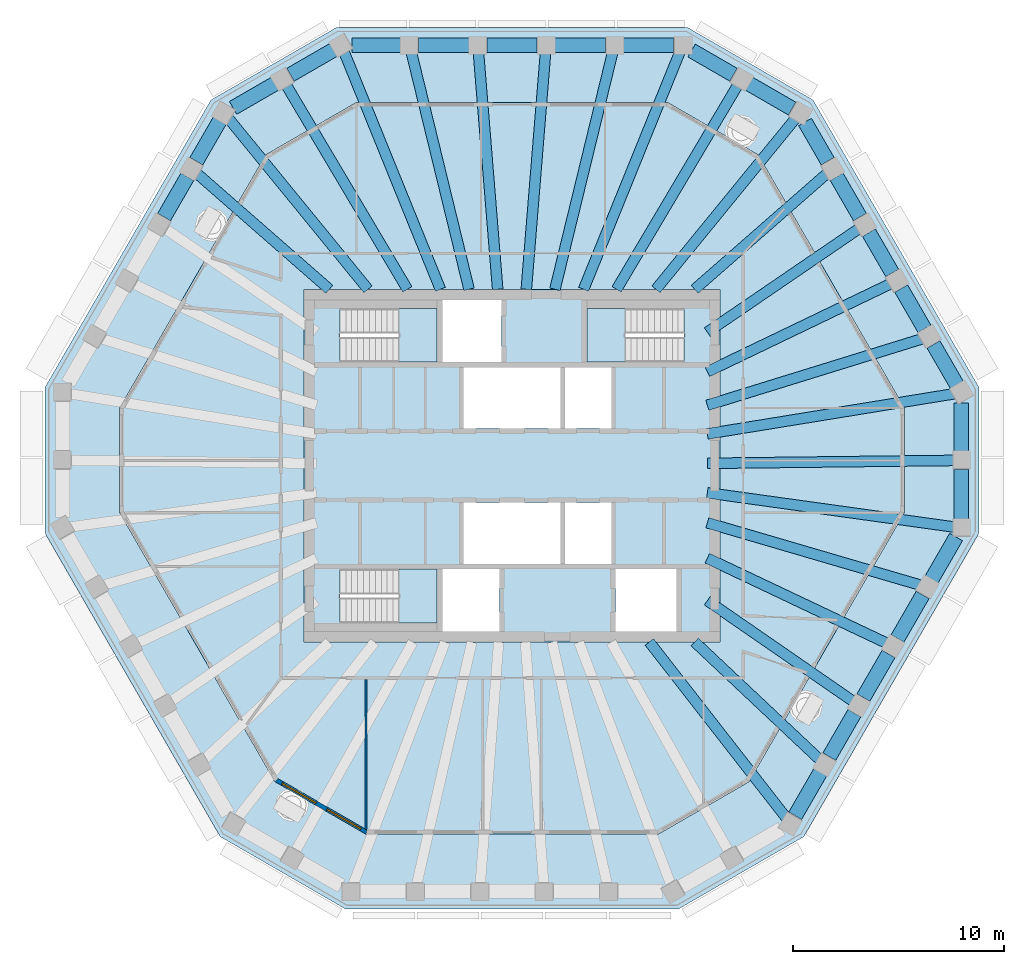
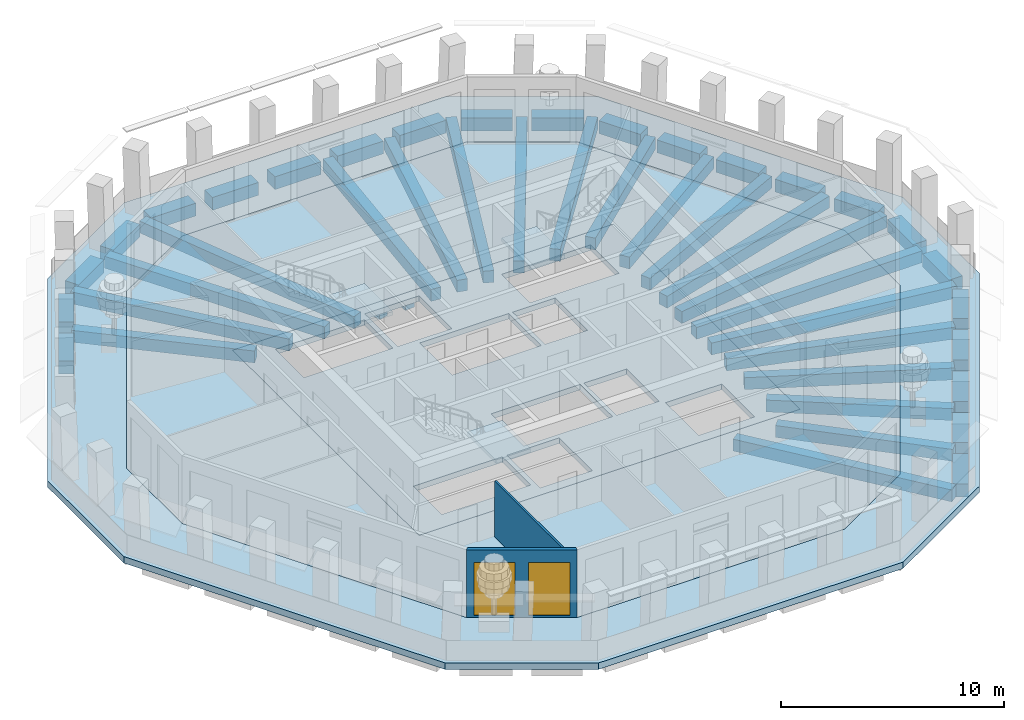
# One storey, part 2 of 11: 46 beams, 6 slabs, 2 walls, 2 windows, 2 openings, 3 elements without a shape of their own.
"""IFC4 building model written with IfcOpenShell, lengths in metres."""

from ifc_helpers import new_model, si_unit, direction, frame, frame_2d, origin, origin_2d, place, context, subcontext, project, spatial, polyline, rectangle, outline, extrude, material, layer, layer_set, material_profile, profile_set, type_object, element, fill, aggregate, save


model = new_model("IFC4")

# Units and contexts
model_context = context("Model", 3, precision=1e-05, world=origin(), true_north=direction((0.0, 1.0)))
body_context = subcontext(model_context, "Body", "Model", "MODEL_VIEW")
ifc_project = project(units=[si_unit("LENGTHUNIT", "METRE"), si_unit("AREAUNIT", "SQUARE_METRE"), si_unit("VOLUMEUNIT", "CUBIC_METRE"), si_unit("PLANEANGLEUNIT", "RADIAN"), si_unit("MASSUNIT", "GRAM", prefix="KILO")], contexts=[model_context])

# Site, building, storey
site_placement = place(None, origin())
site = spatial("IfcSite", under=ifc_project, at=site_placement, CompositionType="ELEMENT")
building_placement = place(site_placement, origin())
building = spatial("IfcBuilding", under=site, at=building_placement, Name="Frailejon Research Tower", CompositionType="ELEMENT")
storey_placement = place(building_placement, frame((0.0, 0.0, 316.60009765625)))
storey = spatial("IfcBuildingStorey", under=building, at=storey_placement, Name="L70", CompositionType="ELEMENT", Elevation=316.60009765625)

# Beams
ifc_material_1 = material(Name="Concrete C60/75", Category="concrete")
ifc_material_profile_1 = material_profile(ifc_material_1, rectangle(XDim=0.5, YDim=0.64990234375, at=origin_2d()), Name="Girder 500x650")
ifc_profile_set_1 = profile_set([ifc_material_profile_1], Name="Concrete C60/75")
beam_type_1 = type_object("IfcBeamType", Name="Girder 500x650", PredefinedType="BEAM", material=ifc_profile_set_1)
beam_1_placement = place(storey_placement, frame((20.996337890625, -2.916259765625, -0.625), z_axis=(-0.990493286128, 0.137561077836, 0.0), x_axis=(-0.137561077836, -0.990493286128, 0.0)))
element("IfcBeam", 1, at=beam_1_placement, inside=storey, type_object=beam_type_1, Name="Girder 500x650", PredefinedType="BEAM", context=body_context, shape_type="SweptSolid", body=[
    extrude(rectangle(XDim=0.5, YDim=0.64990234375, at=origin_2d()), origin(), (0.0, 0.0, 1.0), 11.859130859375),
])
beam_2_placement = place(storey_placement, frame((20.997802734375, 0.248046875, -0.625), z_axis=(-0.999930339256, -0.011803246799, 0.0), x_axis=(0.011803246799, -0.999930339256, 0.0)))
element("IfcBeam", 2, at=beam_2_placement, inside=storey, type_object=beam_type_1, Name="Girder 500x650", PredefinedType="BEAM", context=body_context, shape_type="SweptSolid", body=[
    extrude(rectangle(XDim=0.5, YDim=0.64990234375, at=origin_2d()), origin(), (0.0, 0.0, 1.0), 11.74853515625),
])
beam_3_placement = place(storey_placement, frame((20.97216796875, 3.40869140625, -0.625), z_axis=(-0.987047119751, -0.160430618622, 0.0), x_axis=(0.160430618622, -0.987047119751, 0.0)))
element("IfcBeam", 3, at=beam_3_placement, inside=storey, type_object=beam_type_1, Name="Girder 500x650", PredefinedType="BEAM", context=body_context, shape_type="SweptSolid", body=[
    extrude(rectangle(XDim=0.5, YDim=0.64990234375, at=origin_2d()), origin(), (0.0, 0.0, 1.0), 11.8759765625),
])
beam_4_placement = place(storey_placement, frame((19.47119140625, 6.0205078125, -0.625), z_axis=(-0.955373020039, -0.295402086285, 0.0), x_axis=(0.295402086285, -0.955373020039, 0.0)))
element("IfcBeam", 4, at=beam_4_placement, inside=storey, type_object=beam_type_1, Name="Girder 500x650", PredefinedType="BEAM", context=body_context, shape_type="SweptSolid", body=[
    extrude(rectangle(XDim=0.5, YDim=0.64990234375, at=origin_2d()), origin(), (0.0, 0.0, 1.0), 10.69873046875),
])
beam_5_placement = place(storey_placement, frame((17.966796875, 8.632568359375, -0.625), z_axis=(-0.901354775535, -0.433081480347, 0.0), x_axis=(0.433081480347, -0.901354775535, 0.0)))
element("IfcBeam", 5, at=beam_5_placement, inside=storey, type_object=beam_type_1, Name="Girder 500x650", PredefinedType="BEAM", context=body_context, shape_type="SweptSolid", body=[
    extrude(rectangle(XDim=0.5, YDim=0.64990234375, at=origin_2d()), origin(), (0.0, 0.0, 1.0), 9.670654296875),
])
beam_6_placement = place(storey_placement, frame((16.459228515625, 11.24365234375, -0.625), z_axis=(-0.825724742049, -0.564073266843, 0.0), x_axis=(0.564073266843, -0.825724742049, 0.0)))
element("IfcBeam", 6, at=beam_6_placement, inside=storey, type_object=beam_type_1, Name="Girder 500x650", PredefinedType="BEAM", context=body_context, shape_type="SweptSolid", body=[
    extrude(rectangle(XDim=0.5, YDim=0.64990234375, at=origin_2d()), origin(), (0.0, 0.0, 1.0), 8.730712890625),
])
beam_7_placement = place(storey_placement, frame((14.94580078125, 13.860107421875, -0.625), z_axis=(-0.752511615513, -0.658578976675, 0.0), x_axis=(0.658578976675, -0.752511615513, 0.0)))
element("IfcBeam", 7, at=beam_7_placement, inside=storey, type_object=beam_type_1, Name="Girder 500x650", PredefinedType="BEAM", context=body_context, shape_type="SweptSolid", body=[
    extrude(rectangle(XDim=0.5, YDim=0.64990234375, at=origin_2d()), origin(), (0.0, 0.0, 1.0), 8.366455078125),
])
beam_8_placement = place(storey_placement, frame((13.453125, 16.4765625, -0.625), z_axis=(-0.632456855783, -0.774595588403, 0.0), x_axis=(0.774595588403, -0.632456855783, 0.0)))
element("IfcBeam", 8, at=beam_8_placement, inside=storey, type_object=beam_type_1, Name="Girder 500x650", PredefinedType="BEAM", context=body_context, shape_type="SweptSolid", body=[
    extrude(rectangle(XDim=0.5, YDim=0.64990234375, at=origin_2d()), origin(), (0.0, 0.0, 1.0), 10.4912109375),
])
beam_9_placement = place(storey_placement, frame((10.7138671875, 18.060546875, -0.625), z_axis=(-0.510205979773, -0.860052241555, 0.0), x_axis=(0.860052241555, -0.510205979773, 0.0)))
element("IfcBeam", 9, at=beam_9_placement, inside=storey, type_object=beam_type_1, Name="Girder 500x650", PredefinedType="BEAM", context=body_context, shape_type="SweptSolid", body=[
    extrude(rectangle(XDim=0.5, YDim=0.64990234375, at=origin_2d()), origin(), (0.0, 0.0, 1.0), 11.29052734375),
])
beam_10_placement = place(storey_placement, frame((7.96142578125, 19.614013671875, -0.625), z_axis=(-0.376098524629, -0.926579678048, 0.0), x_axis=(0.926579678048, -0.376098524629, 0.0)))
element("IfcBeam", 10, at=beam_10_placement, inside=storey, type_object=beam_type_1, Name="Girder 500x650", PredefinedType="BEAM", context=body_context, shape_type="SweptSolid", body=[
    extrude(rectangle(XDim=0.5, YDim=0.64990234375, at=origin_2d()), origin(), (0.0, 0.0, 1.0), 12.156494140625),
])
beam_11_placement = place(storey_placement, frame((4.778564453125, 19.62060546875, -0.625), z_axis=(-0.236628152362, -0.971600286903, 0.0), x_axis=(0.971600286903, -0.236628152362, 0.0)))
element("IfcBeam", 11, at=beam_11_placement, inside=storey, type_object=beam_type_1, Name="Girder 500x650", PredefinedType="BEAM", context=body_context, shape_type="SweptSolid", body=[
    extrude(rectangle(XDim=0.5, YDim=0.64990234375, at=origin_2d()), origin(), (0.0, 0.0, 1.0), 11.599853515625),
])
for number, where, z_axis, x_axis, name in (
    (12, (1.593017578125, 19.62451171875, -0.625), (-0.080894684046, -0.99672265455, 0.0), (0.99672265455, -0.080894684046, 0.0), "Girder 500x650"),
    (13, (-1.593017578125, 19.62451171875, -0.625), (0.080894684046, -0.99672265455, 0.0), (0.99672265455, 0.080894684046, 0.0), "Girder 500x650"),
):
    element("IfcBeam", number, at=place(storey_placement, frame(where, z_axis=z_axis, x_axis=x_axis)), inside=storey, type_object=beam_type_1, Name=name, PredefinedType="BEAM", context=body_context, shape_type="SweptSolid", body=[
        extrude(rectangle(XDim=0.5, YDim=0.64990234375, at=origin_2d()), origin(), (0.0, 0.0, 1.0), 11.3115234375),
    ])
beam_12_placement = place(storey_placement, frame((-4.778564453125, 19.62060546875, -0.625), z_axis=(0.236628152362, -0.971600286903, 0.0), x_axis=(0.971600286903, 0.236628152362, 0.0)))
element("IfcBeam", 14, at=beam_12_placement, inside=storey, type_object=beam_type_1, Name="Girder 500x650", PredefinedType="BEAM", context=body_context, shape_type="SweptSolid", body=[
    extrude(rectangle(XDim=0.5, YDim=0.64990234375, at=origin_2d()), origin(), (0.0, 0.0, 1.0), 11.599853515625),
])
beam_13_placement = place(storey_placement, frame((-7.972412109375, 19.641357421875, -0.625), z_axis=(0.376090598855, -0.926582895079, 0.0), x_axis=(0.926582895079, 0.376090598855, 0.0)))
element("IfcBeam", 15, at=beam_13_placement, inside=storey, type_object=beam_type_1, Name="Girder 500x650", PredefinedType="BEAM", context=body_context, shape_type="SweptSolid", body=[
    extrude(rectangle(XDim=0.5, YDim=0.64990234375, at=origin_2d()), origin(), (0.0, 0.0, 1.0), 12.18603515625),
])
beam_14_placement = place(storey_placement, frame((-10.7138671875, 18.060546875, -0.625), z_axis=(0.510205979773, -0.860052241555, 0.0), x_axis=(0.860052241555, 0.510205979773, 0.0)))
element("IfcBeam", 16, at=beam_14_placement, inside=storey, type_object=beam_type_1, Name="Girder 500x650", PredefinedType="BEAM", context=body_context, shape_type="SweptSolid", body=[
    extrude(rectangle(XDim=0.5, YDim=0.64990234375, at=origin_2d()), origin(), (0.0, 0.0, 1.0), 11.29052734375),
])
beam_15_placement = place(storey_placement, frame((-13.43798828125, 16.4580078125, -0.625), z_axis=(0.632457610876, -0.774594971869, 0.0), x_axis=(0.774594971869, 0.632457610876, 0.0)))
element("IfcBeam", 17, at=beam_15_placement, inside=storey, type_object=beam_type_1, Name="Girder 500x650", PredefinedType="BEAM", context=body_context, shape_type="SweptSolid", body=[
    extrude(rectangle(XDim=0.5, YDim=0.64990234375, at=origin_2d()), origin(), (0.0, 0.0, 1.0), 10.46728515625),
])
beam_16_placement = place(storey_placement, frame((-14.94580078125, 13.860107421875, -0.625), z_axis=(0.752511615513, -0.658578976675, 0.0), x_axis=(0.658578976675, 0.752511615513, 0.0)))
element("IfcBeam", 18, at=beam_16_placement, inside=storey, type_object=beam_type_1, Name="Girder 500x650", PredefinedType="BEAM", context=body_context, shape_type="SweptSolid", body=[
    extrude(rectangle(XDim=0.5, YDim=0.64990234375, at=origin_2d()), origin(), (0.0, 0.0, 1.0), 8.366455078125),
])
beam_17_placement = place(storey_placement, frame((13.005615234375, -16.701904296875, -0.625), z_axis=(-0.614400368864, 0.788994414898, 0.0), x_axis=(-0.788994414898, -0.614400368864, 0.0)))
element("IfcBeam", 19, at=beam_17_placement, inside=storey, type_object=beam_type_1, Name="Girder 500x650", PredefinedType="BEAM", context=body_context, shape_type="SweptSolid", body=[
    extrude(rectangle(XDim=0.5, YDim=0.64990234375, at=origin_2d()), origin(), (0.0, 0.0, 1.0), 10.58544921875),
])
beam_18_placement = place(storey_placement, frame((14.601806640625, -13.95068359375, -0.625), z_axis=(-0.728273656927, 0.685286422327, 0.0), x_axis=(-0.685286422327, -0.728273656927, 0.0)))
element("IfcBeam", 20, at=beam_18_placement, inside=storey, type_object=beam_type_1, Name="Girder 500x650", PredefinedType="BEAM", context=body_context, shape_type="SweptSolid", body=[
    extrude(rectangle(XDim=0.5, YDim=0.64990234375, at=origin_2d()), origin(), (0.0, 0.0, 1.0), 8.172607421875),
])
beam_19_placement = place(storey_placement, frame((16.19873046875, -11.19189453125, -0.625), z_axis=(-0.822739186552, 0.568419062763, 0.0), x_axis=(-0.568419062763, -0.822739186552, 0.0)))
element("IfcBeam", 21, at=beam_19_placement, inside=storey, type_object=beam_type_1, Name="Girder 500x650", PredefinedType="BEAM", context=body_context, shape_type="SweptSolid", body=[
    extrude(rectangle(XDim=0.5, YDim=0.64990234375, at=origin_2d()), origin(), (0.0, 0.0, 1.0), 8.44580078125),
])
beam_20_placement = place(storey_placement, frame((17.7919921875, -8.4326171875, -0.625), z_axis=(-0.903640525477, 0.428291723848, 0.0), x_axis=(-0.428291723848, -0.903640525477, 0.0)))
element("IfcBeam", 22, at=beam_20_placement, inside=storey, type_object=beam_type_1, Name="Girder 500x650", PredefinedType="BEAM", context=body_context, shape_type="SweptSolid", body=[
    extrude(rectangle(XDim=0.5, YDim=0.64990234375, at=origin_2d()), origin(), (0.0, 0.0, 1.0), 9.452880859375),
])
beam_21_placement = place(storey_placement, frame((19.38134765625, -5.672119140625, -0.625), z_axis=(-0.959742121067, 0.280882646401, 0.0), x_axis=(-0.280882646401, -0.959742121067, 0.0)))
element("IfcBeam", 23, at=beam_21_placement, inside=storey, type_object=beam_type_1, Name="Girder 500x650", PredefinedType="BEAM", context=body_context, shape_type="SweptSolid", body=[
    extrude(rectangle(XDim=0.5, YDim=0.64990234375, at=origin_2d()), origin(), (0.0, 0.0, 1.0), 10.556396484375),
])
ifc_material_2 = material(Name="Concrete C60/75", Category="concrete")
ifc_material_profile_2 = material_profile(ifc_material_2, rectangle(XDim=0.699951171875, YDim=0.699951171875, at=origin_2d()), Name="Spandrel 700x700")
ifc_profile_set_2 = profile_set([ifc_material_profile_2], Name="Concrete C60/75")
beam_type_2 = type_object("IfcBeamType", Name="Spandrel 700x700", PredefinedType="BEAM", material=ifc_profile_set_2)
beam_22_placement = place(storey_placement, frame((21.272705078125, -2.52978515625, -0.7001953125), z_axis=(0.0, 1.0, 0.0), x_axis=(-1.0, 0.0, 0.0)))
element("IfcBeam", 24, at=beam_22_placement, inside=storey, type_object=beam_type_2, Name="Spandrel 700x700", PredefinedType="BEAM", context=body_context, shape_type="SweptSolid", body=[
    extrude(rectangle(XDim=0.699951171875, YDim=0.699951171875, at=origin_2d()), origin(), (0.0, 0.0, 1.0), 2.356201171875),
])
beam_23_placement = place(storey_placement, frame((21.272705078125, 0.676513671875, -0.7001953125), z_axis=(0.0, 1.0, 0.0), x_axis=(-1.0, 0.0, 0.0)))
element("IfcBeam", 25, at=beam_23_placement, inside=storey, type_object=beam_type_2, Name="Spandrel 700x700", PredefinedType="BEAM", context=body_context, shape_type="SweptSolid", body=[
    extrude(rectangle(XDim=0.699951171875, YDim=0.699951171875, at=origin_2d()), origin(), (0.0, 0.0, 1.0), 2.290283203125),
])
for number, where, z_axis, x_axis, name in (
    (26, (21.060302734375, 3.82568359375, -0.7001953125), (-0.50004165882, 0.866001350717, 0.0), (-0.866001350717, -0.50004165882, 0.0), "Spandrel 700x700"),
    (27, (19.53173828125, 6.472900390625, -0.7001953125), (-0.50004165882, 0.866001350717, 0.0), (-0.866001350717, -0.50004165882, 0.0), "Spandrel 700x700"),
    (28, (18.00341796875, 9.1201171875, -0.7001953125), (-0.50004165882, 0.866001350717, 0.0), (-0.866001350717, -0.50004165882, 0.0), "Spandrel 700x700"),
):
    element("IfcBeam", number, at=place(storey_placement, frame(where, z_axis=z_axis, x_axis=x_axis)), inside=storey, type_object=beam_type_2, Name=name, PredefinedType="BEAM", context=body_context, shape_type="SweptSolid", body=[
        extrude(rectangle(XDim=0.699951171875, YDim=0.699951171875, at=origin_2d()), origin(), (0.0, 0.0, 1.0), 2.206787109375),
    ])
beam_24_placement = place(storey_placement, frame((16.474853515625, 11.767578125, -0.7001953125), z_axis=(-0.500006592492, 0.866021597574, 0.0), x_axis=(-0.866021597574, -0.500006592492, 0.0)))
element("IfcBeam", 29, at=beam_24_placement, inside=storey, type_object=beam_type_2, Name="Spandrel 700x700", PredefinedType="BEAM", context=body_context, shape_type="SweptSolid", body=[
    extrude(rectangle(XDim=0.699951171875, YDim=0.699951171875, at=origin_2d()), origin(), (0.0, 0.0, 1.0), 2.20654296875),
])
beam_25_placement = place(storey_placement, frame((14.946533203125, 14.414794921875, -0.7001953125), z_axis=(-0.500051491514, 0.865995673104, 0.0), x_axis=(-0.865995673104, -0.500051491514, 0.0)))
element("IfcBeam", 30, at=beam_25_placement, inside=storey, type_object=beam_type_2, Name="Spandrel 700x700", PredefinedType="BEAM", context=body_context, shape_type="SweptSolid", body=[
    extrude(rectangle(XDim=0.699951171875, YDim=0.699951171875, at=origin_2d()), origin(), (0.0, 0.0, 1.0), 2.140869140625),
])
beam_26_placement = place(storey_placement, frame((13.262451171875, 16.906494140625, -0.7001953125), z_axis=(-0.866021643438, 0.500006513054, 0.0), x_axis=(-0.500006513054, -0.866021643438, 0.0)))
element("IfcBeam", 31, at=beam_26_placement, inside=storey, type_object=beam_type_2, Name="Spandrel 700x700", PredefinedType="BEAM", context=body_context, shape_type="SweptSolid", body=[
    extrude(rectangle(XDim=0.699951171875, YDim=0.699951171875, at=origin_2d()), origin(), (0.0, 0.0, 1.0), 2.35595703125),
])
beam_27_placement = place(storey_placement, frame((10.486083984375, 18.509521484375, -0.7001953125), z_axis=(-0.866070215109, 0.499922376475, 0.0), x_axis=(-0.499922376475, -0.866070215109, 0.0)))
element("IfcBeam", 32, at=beam_27_placement, inside=storey, type_object=beam_type_2, Name="Spandrel 700x700", PredefinedType="BEAM", context=body_context, shape_type="SweptSolid", body=[
    extrude(rectangle(XDim=0.699951171875, YDim=0.699951171875, at=origin_2d()), origin(), (0.0, 0.0, 1.0), 2.290283203125),
])
beam_28_placement = place(storey_placement, frame((7.652587890625, 19.89990234375, -0.7001953125), z_axis=(-1.0, 0.0, 0.0), x_axis=(0.0, -1.0, 0.0)))
element("IfcBeam", 33, at=beam_28_placement, inside=storey, type_object=beam_type_2, Name="Spandrel 700x700", PredefinedType="BEAM", context=body_context, shape_type="SweptSolid", body=[
    extrude(rectangle(XDim=0.699951171875, YDim=0.699951171875, at=origin_2d()), origin(), (0.0, 0.0, 1.0), 2.381103515625),
])
for number, where, z_axis, x_axis, name in (
    (34, (4.42138671875, 19.89990234375, -0.7001953125), (-1.0, 0.0, 0.0), (0.0, -1.0, 0.0), "Spandrel 700x700"),
    (35, (1.1904296875, 19.89990234375, -0.7001953125), (-1.0, 0.0, 0.0), (0.0, -1.0, 0.0), "Spandrel 700x700"),
    (36, (-2.04052734375, 19.89990234375, -0.7001953125), (-1.0, 0.0, 0.0), (0.0, -1.0, 0.0), "Spandrel 700x700"),
):
    element("IfcBeam", number, at=place(storey_placement, frame(where, z_axis=z_axis, x_axis=x_axis)), inside=storey, type_object=beam_type_2, Name=name, PredefinedType="BEAM", context=body_context, shape_type="SweptSolid", body=[
        extrude(rectangle(XDim=0.699951171875, YDim=0.699951171875, at=origin_2d()), origin(), (0.0, 0.0, 1.0), 2.380859375),
    ])
beam_29_placement = place(storey_placement, frame((-5.271484375, 19.89990234375, -0.7001953125), z_axis=(-1.0, 0.0, 0.0), x_axis=(0.0, -1.0, 0.0)))
element("IfcBeam", 37, at=beam_29_placement, inside=storey, type_object=beam_type_2, Name="Spandrel 700x700", PredefinedType="BEAM", context=body_context, shape_type="SweptSolid", body=[
    extrude(rectangle(XDim=0.699951171875, YDim=0.699951171875, at=origin_2d()), origin(), (0.0, 0.0, 1.0), 2.3154296875),
])
beam_30_placement = place(storey_placement, frame((-8.445556640625, 19.6875, -0.7001953125), z_axis=(-0.866047547699, -0.499961643653, 0.0), x_axis=(0.499961643653, -0.866047547699, 0.0)))
element("IfcBeam", 38, at=beam_30_placement, inside=storey, type_object=beam_type_2, Name="Spandrel 700x700", PredefinedType="BEAM", context=body_context, shape_type="SweptSolid", body=[
    extrude(rectangle(XDim=0.699951171875, YDim=0.699951171875, at=origin_2d()), origin(), (0.0, 0.0, 1.0), 2.356201171875),
])
beam_31_placement = place(storey_placement, frame((-11.22216796875, 18.08447265625, -0.7001953125), z_axis=(-0.86599741159, -0.500048480769, 0.0), x_axis=(0.500048480769, -0.86599741159, 0.0)))
element("IfcBeam", 39, at=beam_31_placement, inside=storey, type_object=beam_type_2, Name="Spandrel 700x700", PredefinedType="BEAM", context=body_context, shape_type="SweptSolid", body=[
    extrude(rectangle(XDim=0.699951171875, YDim=0.699951171875, at=origin_2d()), origin(), (0.0, 0.0, 1.0), 2.290283203125),
])
for number, where, z_axis, x_axis, name in (
    (40, (-13.843017578125, 16.32568359375, -0.7001953125), (-0.500089568931, -0.865973684962, 0.0), (0.865973684962, -0.500089568931, 0.0), "Spandrel 700x700"),
    (41, (-15.37158203125, 13.678466796875, -0.7001953125), (-0.500006592492, -0.866021597574, 0.0), (0.866021597574, -0.500006592492, 0.0), "Spandrel 700x700"),
):
    element("IfcBeam", number, at=place(storey_placement, frame(where, z_axis=z_axis, x_axis=x_axis)), inside=storey, type_object=beam_type_2, Name=name, PredefinedType="BEAM", context=body_context, shape_type="SweptSolid", body=[
        extrude(rectangle(XDim=0.699951171875, YDim=0.699951171875, at=origin_2d()), origin(), (0.0, 0.0, 1.0), 2.20654296875),
    ])
for number, where, z_axis, x_axis, name in (
    (42, (13.40771484375, -16.5771484375, -0.7001953125), (0.500021302286, 0.866013104554, 0.0), (-0.866013104554, 0.500021302286, 0.0), "Spandrel 700x700"),
    (43, (15.023193359375, -13.779052734375, -0.7001953125), (0.500021302286, 0.866013104554, 0.0), (-0.866013104554, 0.500021302286, 0.0), "Spandrel 700x700"),
    (44, (16.638671875, -10.98095703125, -0.7001953125), (0.499976899968, 0.866038740183, 0.0), (-0.866038740183, 0.499976899968, 0.0), "Spandrel 700x700"),
    (45, (18.254150390625, -8.182861328125, -0.7001953125), (0.499976899968, 0.866038740183, 0.0), (-0.866038740183, 0.499976899968, 0.0), "Spandrel 700x700"),
):
    element("IfcBeam", number, at=place(storey_placement, frame(where, z_axis=z_axis, x_axis=x_axis)), inside=storey, type_object=beam_type_2, Name=name, PredefinedType="BEAM", context=body_context, shape_type="SweptSolid", body=[
        extrude(rectangle(XDim=0.699951171875, YDim=0.699951171875, at=origin_2d()), origin(), (0.0, 0.0, 1.0), 2.380859375),
    ])
beam_32_placement = place(storey_placement, frame((19.86962890625, -5.384765625, -0.7001953125), z_axis=(0.50001757531, 0.866015256437, 0.0), x_axis=(-0.866015256437, 0.50001757531, 0.0)))
element("IfcBeam", 46, at=beam_32_placement, inside=storey, type_object=beam_type_2, Name="Spandrel 700x700", PredefinedType="BEAM", context=body_context, shape_type="SweptSolid", body=[
    extrude(rectangle(XDim=0.699951171875, YDim=0.699951171875, at=origin_2d()), origin(), (0.0, 0.0, 1.0), 2.3154296875),
])

# Slabs
ifc_material_3 = material(Name="Concrete C50/60", Category="concrete")
ifc_layer_1 = layer(ifc_material_3, 0.300048828125)
ifc_layer_set_1 = layer_set([ifc_layer_1], Name="Core floor slab 300 C50/60")
slab_type_1 = type_object("IfcSlabType", Name="Core floor slab 300 C50/60", PredefinedType="FLOOR", material=ifc_layer_set_1)
slab_1_placement = place(storey_placement, frame((0.0, 0.0, -0.300048828125)))
element("IfcSlab", 47, at=slab_1_placement, inside=storey, type_object=slab_type_1, Name="Core floor slab", PredefinedType="FLOOR", context=body_context, shape_type="SweptSolid", body=[
    extrude(outline(polyline([(9.85009765625, -8.35009765625), (9.85009765625, 8.35009765625), (-9.85009765625, 8.35009765625), (-9.85009765625, -8.35009765625), (9.85009765625, -8.35009765625)]), holes=[polyline([(2.300048828125, 1.75), (2.300048828125, 4.64990234375), (-2.300048828125, 4.64990234375), (-2.300048828125, 1.75), (2.300048828125, 1.75)]), polyline([(4.699951171875, 1.75), (4.699951171875, 4.64990234375), (2.5, 4.64990234375), (2.5, 1.75), (4.699951171875, 1.75)]), polyline([(2.300048828125, -4.64990234375), (2.300048828125, -1.75), (-2.300048828125, -1.75), (-2.300048828125, -4.64990234375), (2.300048828125, -4.64990234375)]), polyline([(4.699951171875, -4.64990234375), (4.699951171875, -1.75), (2.5, -1.75), (2.5, -4.64990234375), (4.699951171875, -4.64990234375)]), polyline([(-8.14697265625, 4.89990234375), (-3.550048828125, 4.89990234375), (-3.550048828125, 7.449951171875), (-8.14697265625, 7.449951171875), (-8.14697265625, 4.89990234375)]), polyline([(-8.14697265625, -7.449951171875), (-3.550048828125, -7.449951171875), (-3.550048828125, -4.89990234375), (-8.14697265625, -4.89990234375), (-8.14697265625, -7.449951171875)]), polyline([(8.14697265625, 7.449951171875), (3.550048828125, 7.449951171875), (3.550048828125, 4.89990234375), (8.14697265625, 4.89990234375), (8.14697265625, 7.449951171875)]), polyline([(-0.60009765625, -7.85009765625), (-0.60009765625, -4.89990234375), (-3.300048828125, -4.89990234375), (-3.300048828125, -7.85009765625), (-0.60009765625, -7.85009765625)]), polyline([(7.800048828125, -7.85009765625), (7.800048828125, -4.89990234375), (4.89990234375, -4.89990234375), (4.89990234375, -7.85009765625), (7.800048828125, -7.85009765625)]), polyline([(-0.5, 4.89990234375), (-0.5, 7.85009765625), (-3.300048828125, 7.85009765625), (-3.300048828125, 4.89990234375), (-0.5, 4.89990234375)])]), origin(), (0.0, 0.0, 1.0), 0.300048828125),
])
ifc_material_4 = material(Name="Concrete C40/50", Category="concrete")
ifc_layer_2 = layer(ifc_material_4, 0.35009765625)
ifc_layer_set_2 = layer_set([ifc_layer_2], Name="Loggia slab 350")
slab_type_2 = type_object("IfcSlabType", Name="Loggia slab 350", PredefinedType="USERDEFINED", material=ifc_layer_set_2)
slab_2_placement = place(storey_placement, frame((0.0, 0.0, -0.35009765625)))
element("IfcSlab", 48, at=slab_2_placement, inside=storey, type_object=slab_type_2, Name="Loggia slab L70", ObjectType="LOGGIA", PredefinedType="USERDEFINED", context=body_context, shape_type="SweptSolid", body=[
    extrude(outline(polyline([(13.8173828125, -17.567626953125), (7.869873046875, -21.00146484375), (-7.869873046875, -21.00146484375), (-13.8173828125, -17.567626953125), (-22.122802734375, -3.182373046875), (-22.122802734375, 3.685302734375), (-14.252685546875, 17.316162109375), (-8.305419921875, 20.75), (8.305419921875, 20.75), (14.252685546875, 17.316162109375), (22.122802734375, 3.685302734375), (22.122802734375, -3.182373046875), (13.8173828125, -17.567626953125)]), holes=[polyline([(18.57275390625, 2.73388671875), (11.654052734375, 14.71728515625), (7.35400390625, 17.199951171875), (-7.35400390625, 17.199951171875), (-11.654052734375, 14.71728515625), (-18.57275390625, 2.73388671875), (-18.57275390625, -2.231201171875), (-11.218505859375, -14.96875), (-6.918701171875, -17.451416015625), (6.918701171875, -17.451416015625), (11.218505859375, -14.96875), (18.57275390625, -2.231201171875), (18.57275390625, 2.73388671875)])]), origin(), (0.0, 0.0, 1.0), 0.35009765625),
])
ifc_material_5 = material(Name="Concrete C40/50", Category="concrete")
ifc_layer_3 = layer(ifc_material_5, 0.300048828125)
ifc_layer_set_3 = layer_set([ifc_layer_3], Name="Slab typical 300")
slab_type_3 = type_object("IfcSlabType", Name="Slab typical 300", PredefinedType="FLOOR", material=ifc_layer_set_3)
slab_3_placement = place(storey_placement, frame((0.0, 0.0, -0.300048828125)))
element("IfcSlab", 49, at=slab_3_placement, inside=storey, type_object=slab_type_3, Name="Floor slab L70", PredefinedType="FLOOR", context=body_context, shape_type="SweptSolid", body=[
    extrude(outline(polyline([(18.57275390625, -2.231201171875), (18.57275390625, 2.73388671875), (11.654052734375, 14.71728515625), (7.35400390625, 17.199951171875), (-7.35400390625, 17.199951171875), (-11.654052734375, 14.71728515625), (-18.57275390625, 2.73388671875), (-18.57275390625, -2.231201171875), (-11.218505859375, -14.96875), (-6.918701171875, -17.451416015625), (6.918701171875, -17.451416015625), (11.218505859375, -14.96875), (18.57275390625, -2.231201171875)]), holes=[polyline([(9.25, 8.35009765625), (9.85009765625, 8.35009765625), (9.85009765625, -8.35009765625), (9.25, -8.35009765625), (-9.25, -8.35009765625), (-9.85009765625, -8.35009765625), (-9.85009765625, 8.35009765625), (-9.25, 8.35009765625), (9.25, 8.35009765625)])]), origin(), (0.0, 0.0, 1.0), 0.300048828125),
])

# Stair, slab
ifc_material_6 = material(Name="Concrete C50/60", Category="concrete")
stair_type = type_object("IfcStairType", Name="Exit stair 22 risers", PredefinedType="HALF_TURN_STAIR", material=ifc_material_6)
stair_1_placement = place(storey_placement, origin())
stair_1 = element("IfcStair", 50, at=stair_1_placement, inside=storey, type_object=stair_type, Name="L70 Exit stair ST1", PredefinedType="HALF_TURN_STAIR")
ifc_material_7 = material(Name="Concrete C50/60", Category="concrete")
ifc_layer_4 = layer(ifc_material_7, 0.199951171875)
ifc_layer_set_4 = layer_set([ifc_layer_4], Name="Stair landing slab 200")
slab_type_4 = type_object("IfcSlabType", Name="Stair landing slab 200", PredefinedType="LANDING", material=ifc_layer_set_4)
slab_4_placement = place(storey_placement, frame((0.0, 0.0, 1.7998046875)))
slab_4 = element("IfcSlab", 51, at=slab_4_placement, type_object=slab_type_4, Name="ST1 landing 1", PredefinedType="LANDING", context=body_context, shape_type="SweptSolid", body=[
    extrude(outline(polyline([(-5.35009765625, 4.89990234375), (-3.550048828125, 4.89990234375), (-3.550048828125, 7.449951171875), (-5.35009765625, 7.449951171875), (-5.35009765625, 4.89990234375)])), origin(), (0.0, 0.0, 1.0), 0.2001953125),
])
aggregate(stair_1, [slab_4])

stair_2_placement = place(storey_placement, origin())
stair_2 = element("IfcStair", 52, at=stair_2_placement, inside=storey, type_object=stair_type, Name="L70 Exit stair ST2", PredefinedType="HALF_TURN_STAIR")
slab_5_placement = place(storey_placement, frame((0.0, 0.0, 1.7998046875)))
slab_5 = element("IfcSlab", 53, at=slab_5_placement, type_object=slab_type_4, Name="ST2 landing 1", PredefinedType="LANDING", context=body_context, shape_type="SweptSolid", body=[
    extrude(outline(polyline([(-5.35009765625, -7.449951171875), (-3.550048828125, -7.449951171875), (-3.550048828125, -4.89990234375), (-5.35009765625, -4.89990234375), (-5.35009765625, -7.449951171875)])), origin(), (0.0, 0.0, 1.0), 0.2001953125),
])
aggregate(stair_2, [slab_5])

stair_3_placement = place(storey_placement, origin())
stair_3 = element("IfcStair", 54, at=stair_3_placement, inside=storey, type_object=stair_type, Name="L70 Exit stair ST3", PredefinedType="HALF_TURN_STAIR")
slab_6_placement = place(storey_placement, frame((0.0, 0.0, 1.7998046875)))
slab_6 = element("IfcSlab", 55, at=slab_6_placement, type_object=slab_type_4, Name="ST3 landing 1", PredefinedType="LANDING", context=body_context, shape_type="SweptSolid", body=[
    extrude(outline(polyline([(5.35009765625, 7.449951171875), (3.550048828125, 7.449951171875), (3.550048828125, 4.89990234375), (5.35009765625, 4.89990234375), (5.35009765625, 7.449951171875)])), origin(), (0.0, 0.0, 1.0), 0.2001953125),
])
aggregate(stair_3, [slab_6])

# Wall
ifc_material_8 = material(Name="Gypsum board and masonry partition", Category="masonry")
ifc_layer_5 = layer(ifc_material_8, 0.10009765625)
ifc_layer_set_5 = layer_set([ifc_layer_5], Name="Partition, gypsum on steel studs 100")
wall_type_1 = type_object("IfcWallType", Name="Partition, gypsum on steel studs 100", PredefinedType="PARTITIONING", material=ifc_layer_set_5)
wall_1_placement = place(storey_placement, frame((-6.918701171875, -17.220458984375, 0.0), z_axis=(0.0, 0.0, 1.0), x_axis=(0.0, 1.0, 0.0)))
element("IfcWall", 56, at=wall_1_placement, inside=storey, type_object=wall_type_1, Name="T:IW:L70:022", PredefinedType="PARTITIONING", context=body_context, shape_type="SweptSolid", body=[
    extrude(rectangle(XDim=7.095458984375, YDim=0.10009765625, at=frame_2d((3.5478515625, 0.0))), origin(), (0.0, 0.0, 1.0), 3.0498046875),
])

# Wall, openings, windows
ifc_material_9 = material(Name="Concrete C40/50 precast window wall panel", Category="concrete")
ifc_layer_6 = layer(ifc_material_9, 0.199951171875)
ifc_layer_set_6 = layer_set([ifc_layer_6], Name="Window wall 200")
wall_type_2 = type_object("IfcWallType", Name="Window wall 200", PredefinedType="SOLIDWALL", material=ifc_layer_set_6)
wall_2_placement = place(storey_placement, frame((-11.1455078125, -14.8955078125, 0.0), z_axis=(0.0, 0.0, 1.0), x_axis=(0.866029143232, -0.499993523031, 0.0)))
wall_2 = element("IfcWall", 57, at=wall_2_placement, inside=storey, type_object=wall_type_2, Name="Exterior wall L70", PredefinedType="SOLIDWALL", context=body_context, shape_type="SweptSolid", body=[
    extrude(outline(polyline([(-0.02685546875, -0.10009765625), (1.21435546875, -0.10009765625), (2.455810546875, -0.10009765625), (3.697265625, -0.10009765625), (4.9384765625, -0.10009765625), (4.884765625, 0.10009765625), (3.67041015625, 0.10009765625), (2.455810546875, 0.10009765625), (1.2412109375, 0.10009765625), (0.02685546875, 0.10009765625), (-0.02685546875, -0.10009765625)])), origin(), (0.0, 0.0, 1.0), 3.699951171875),
])
opening_1_placement = place(wall_2_placement, frame((0.302978515625, 0.0, 0.10009765625)))
opening_1 = element("IfcOpeningElement", 58, at=opening_1_placement, cuts=wall_2, Name="Opening W26", PredefinedType="OPENING", context=body_context, shape_type="SweptSolid", body=[
    extrude(rectangle(XDim=1.85009765625, YDim=2.89990234375, at=frame_2d((0.925048828125, 1.449951171875))), frame((0.0, 0.10986328125, 0.0), z_axis=(0.0, -1.0, 0.0), x_axis=(1.0, 0.0, 0.0)), (0.0, 0.0, 1.0), 0.219970703125),
])
opening_2_placement = place(wall_2_placement, frame((2.7587890625, 0.0, 0.10009765625)))
opening_2 = element("IfcOpeningElement", 59, at=opening_2_placement, cuts=wall_2, Name="Opening W26", PredefinedType="OPENING", context=body_context, shape_type="SweptSolid", body=[
    extrude(rectangle(XDim=1.85009765625, YDim=2.89990234375, at=frame_2d((0.925048828125, 1.449951171875))), frame((0.0, 0.10986328125, 0.0), z_axis=(0.0, -1.0, 0.0), x_axis=(1.0, 0.0, 0.0)), (0.0, 0.0, 1.0), 0.219970703125),
])
ifc_material_10 = material(Name="Aluminium framed double glazing", Category="aluminium")
window_type = type_object("IfcWindowType", Name="Window 1850x2900", PartitioningType="SINGLE_PANEL", PredefinedType="WINDOW", material=ifc_material_10)
window_1_placement = place(opening_1_placement, origin())
window_1 = element("IfcWindow", 60, at=window_1_placement, inside=storey, type_object=window_type, Name="Window L70", OverallHeight=2.89990234375, OverallWidth=1.85009765625, PartitioningType="SINGLE_PANEL", PredefinedType="WINDOW", context=body_context, shape_type="SweptSolid", body=[
    extrude(rectangle(XDim=1.85009765625, YDim=2.89990234375, at=frame_2d((0.925048828125, 1.449951171875))), frame((0.0, 0.030029296875, 0.0), z_axis=(0.0, -1.0, 0.0), x_axis=(1.0, 0.0, 0.0)), (0.0, 0.0, 1.0), 0.06005859375),
])
fill(opening_1, window_1)
window_2_placement = place(opening_2_placement, origin())
window_2 = element("IfcWindow", 61, at=window_2_placement, inside=storey, type_object=window_type, Name="Window L70", OverallHeight=2.89990234375, OverallWidth=1.85009765625, PartitioningType="SINGLE_PANEL", PredefinedType="WINDOW", context=body_context, shape_type="SweptSolid", body=[
    extrude(rectangle(XDim=1.85009765625, YDim=2.89990234375, at=frame_2d((0.925048828125, 1.449951171875))), frame((0.0, 0.030029296875, 0.0), z_axis=(0.0, -1.0, 0.0), x_axis=(1.0, 0.0, 0.0)), (0.0, 0.0, 1.0), 0.06005859375),
])
fill(opening_2, window_2)

save(model, "model.ifc")
